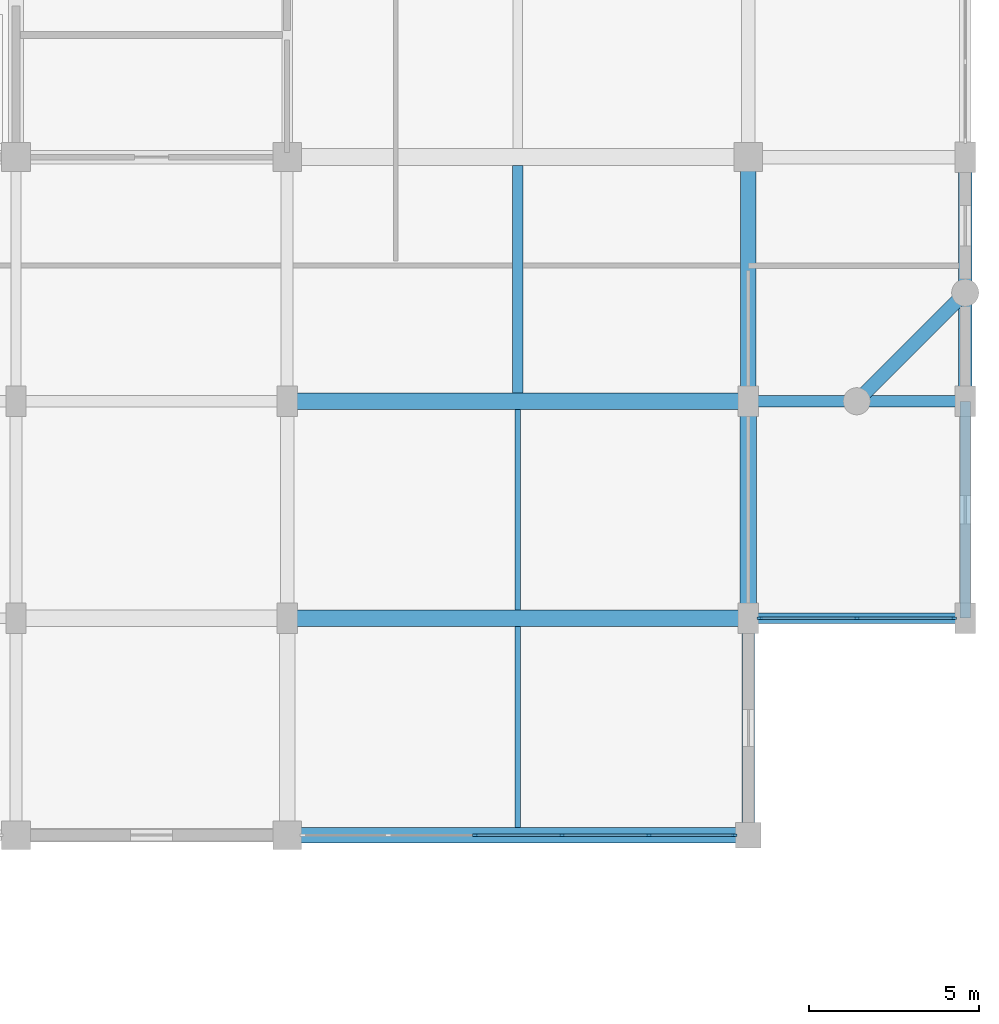
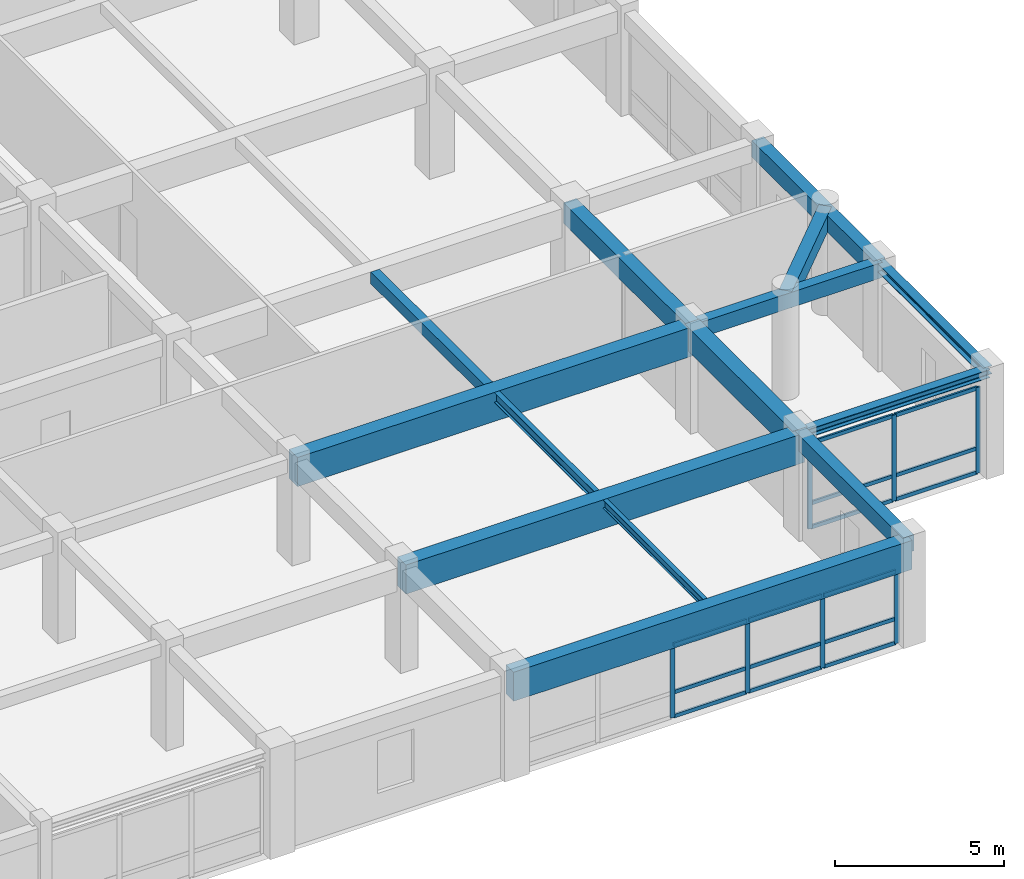
# One storey, part 11 of 27: 22 members, 14 beams, 2 elements without a shape of their own.
"""IFC4 building model written with IfcOpenShell, lengths in metres."""

from ifc_helpers import new_model, si_unit, direction, frame, origin, origin_2d, place, context, subcontext, project, spatial, rectangle, i_section, extrude, material, material_profile, profile_set, type_object, element, aggregate, save


model = new_model("IFC4")

# Units and contexts
model_context = context("Model", 3, precision=1e-05, world=origin(), true_north=direction((0.0, 1.0)))
body_context = subcontext(model_context, "Body", "Model", "MODEL_VIEW")
ifc_project = project(units=[si_unit("LENGTHUNIT", "METRE"), si_unit("AREAUNIT", "SQUARE_METRE"), si_unit("VOLUMEUNIT", "CUBIC_METRE"), si_unit("PLANEANGLEUNIT", "RADIAN"), si_unit("MASSUNIT", "GRAM", prefix="KILO")], contexts=[model_context])

# Site, building, storey
site_placement = place(None, origin())
site = spatial("IfcSite", under=ifc_project, at=site_placement, CompositionType="ELEMENT")
building_placement = place(site_placement, origin())
building = spatial("IfcBuilding", under=site, at=building_placement, Name="Vellmiral Cinema and Media Centre", CompositionType="ELEMENT")
storey_placement = place(building_placement, frame((0.0, 0.0, 19.800048828125)))
storey = spatial("IfcBuildingStorey", under=building, at=storey_placement, Name="L04", CompositionType="ELEMENT", Elevation=19.800048828125)

# Beams
ifc_material_1 = material(Name="Concrete C40/50", Category="concrete")
ifc_material_profile_1 = material_profile(ifc_material_1, rectangle(XDim=0.35009765625, YDim=0.550048828125, at=origin_2d()), Name="RC 350x550")
ifc_profile_set_1 = profile_set([ifc_material_profile_1], Name="Concrete C40/50")
beam_type_1 = type_object("IfcBeamType", Name="BM-RC-350x550", PredefinedType="BEAM", material=ifc_profile_set_1)
beam_1_placement = place(storey_placement, frame((161.60009765625, 72.0, 3.419921875), z_axis=(1.0, 0.0, 0.0), x_axis=(0.0, 1.0, 0.0)))
element("IfcBeam", 1, at=beam_1_placement, inside=storey, type_object=beam_type_1, Name="Grid Beam L04-X023", PredefinedType="BEAM", context=body_context, shape_type="SweptSolid", body=[
    extrude(rectangle(XDim=0.35009765625, YDim=0.550048828125, at=origin_2d()), origin(), (0.0, 0.0, 1.0), 6.39990234375),
])
ifc_material_2 = material(Name="Concrete C40/50", Category="concrete")
ifc_material_profile_2 = material_profile(ifc_material_2, rectangle(XDim=0.449951171875, YDim=0.75, at=origin_2d()), Name="RC 450x750")
ifc_profile_set_2 = profile_set([ifc_material_profile_2], Name="Concrete C40/50")
beam_type_2 = type_object("IfcBeamType", Name="BM-RC-450x750", PredefinedType="BEAM", material=ifc_profile_set_2)
beam_2_placement = place(storey_placement, frame((161.60009765625, 72.0, 3.320068359375), z_axis=(0.0, 1.0, 0.0), x_axis=(-1.0, 0.0, 0.0)))
element("IfcBeam", 2, at=beam_2_placement, inside=storey, type_object=beam_type_2, Name="Grid Beam L04-Y105", PredefinedType="BEAM", context=body_context, shape_type="SweptSolid", body=[
    extrude(rectangle(XDim=0.449951171875, YDim=0.75, at=origin_2d()), origin(), (0.0, 0.0, 1.0), 7.199951171875),
])
ifc_material_3 = material(Name="Concrete C40/50", Category="concrete")
ifc_material_profile_3 = material_profile(ifc_material_3, rectangle(XDim=0.5, YDim=0.85009765625, at=origin_2d()), Name="RC 500x850")
ifc_profile_set_3 = profile_set([ifc_material_profile_3], Name="Concrete C40/50")
beam_type_3 = type_object("IfcBeamType", Name="BM-RC-500x850", PredefinedType="BEAM", material=ifc_profile_set_3)
beam_3_placement = place(storey_placement, frame((161.60009765625, 65.60009765625, 3.27001953125), z_axis=(0.0, 1.0, 0.0), x_axis=(-1.0, 0.0, 0.0)))
element("IfcBeam", 3, at=beam_3_placement, inside=storey, type_object=beam_type_3, Name="Grid Beam L04-Y104", PredefinedType="BEAM", context=body_context, shape_type="SweptSolid", body=[
    extrude(rectangle(XDim=0.5, YDim=0.85009765625, at=origin_2d()), origin(), (0.0, 0.0, 1.0), 6.39990234375),
])
ifc_material_4 = material(Name="Concrete C40/50", Category="concrete")
ifc_material_profile_4 = material_profile(ifc_material_4, rectangle(XDim=0.5, YDim=1.050048828125, at=origin_2d()), Name="RC 500x1050")
ifc_profile_set_4 = profile_set([ifc_material_profile_4], Name="Concrete C40/50")
beam_type_4 = type_object("IfcBeamType", Name="BM-RCG-500x1050", PredefinedType="BEAM", material=ifc_profile_set_4)
for number, where, z_axis, x_axis, name in (
    (4, (148.0, 65.60009765625, 3.169921875), (1.0, 0.0, 0.0), (0.0, 1.0, 0.0), "Grid Beam L04-X014"),
    (5, (148.0, 72.0, 3.169921875), (1.0, 0.0, 0.0), (0.0, 1.0, 0.0), "Grid Beam L04-X022"),
):
    element("IfcBeam", number, at=place(storey_placement, frame(where, z_axis=z_axis, x_axis=x_axis)), inside=storey, type_object=beam_type_4, Name=name, PredefinedType="BEAM", context=body_context, shape_type="SweptSolid", body=[
        extrude(rectangle(XDim=0.5, YDim=1.050048828125, at=origin_2d()), origin(), (0.0, 0.0, 1.0), 13.60009765625),
    ])

# Curtain wall, members
ifc_material_5 = material(Name="Thermally Broken Aluminium and Triple Glazing", Category="aluminium")
curtain_wall_type = type_object("IfcCurtainWallType", Name="CW-TOWER-LOW-S", PredefinedType="USERDEFINED", material=ifc_material_5)
curtain_wall_1_placement = place(storey_placement, origin())
curtain_wall_1 = element("IfcCurtainWall", 6, at=curtain_wall_1_placement, inside=storey, type_object=curtain_wall_type, Name="Curtain Wall L04-B009", ObjectType="UNITISED CURTAIN WALL", PredefinedType="USERDEFINED")
ifc_material_6 = material(Name="Thermally Broken Anodised Aluminium", Category="aluminium")
ifc_material_profile_5 = material_profile(ifc_material_6, rectangle(XDim=0.06494140625, YDim=0.159912109375, at=origin_2d()), Name="MULL 65x160")
ifc_profile_set_5 = profile_set([ifc_material_profile_5], Name="Thermally Broken Anodised Aluminium")
member_type_1 = type_object("IfcMemberType", Name="CWM-65x160", PredefinedType="MULLION", material=ifc_profile_set_5)
member_1_placement = place(storey_placement, frame((153.544921875, 59.199951171875, 0.0), z_axis=(0.0, 0.0, 1.0), x_axis=(0.0, 1.0, 0.0)))
member_1 = element("IfcMember", 7, at=member_1_placement, type_object=member_type_1, Name="CW-06 mullion 3", PredefinedType="MULLION", context=body_context, shape_type="SweptSolid", body=[
    extrude(rectangle(XDim=0.06494140625, YDim=0.159912109375, at=origin_2d()), origin(), (0.0, 0.0, 1.0), 2.635009765625),
])
member_2_placement = place(storey_placement, frame((156.10498046875, 59.199951171875, 0.0), z_axis=(0.0, 0.0, 1.0), x_axis=(0.0, 1.0, 0.0)))
member_2 = element("IfcMember", 8, at=member_2_placement, type_object=member_type_1, Name="CW-06 mullion 4", PredefinedType="MULLION", context=body_context, shape_type="SweptSolid", body=[
    extrude(rectangle(XDim=0.06494140625, YDim=0.159912109375, at=origin_2d()), origin(), (0.0, 0.0, 1.0), 2.635009765625),
])
member_3_placement = place(storey_placement, frame((158.6650390625, 59.199951171875, 0.0), z_axis=(0.0, 0.0, 1.0), x_axis=(0.0, 1.0, 0.0)))
member_3 = element("IfcMember", 9, at=member_3_placement, type_object=member_type_1, Name="CW-06 mullion 5", PredefinedType="MULLION", context=body_context, shape_type="SweptSolid", body=[
    extrude(rectangle(XDim=0.06494140625, YDim=0.159912109375, at=origin_2d()), origin(), (0.0, 0.0, 1.0), 2.635009765625),
])
member_4_placement = place(storey_placement, frame((161.1923828125, 59.199951171875, 0.0), z_axis=(0.0, 0.0, 1.0), x_axis=(0.0, 1.0, 0.0)))
member_4 = element("IfcMember", 10, at=member_4_placement, type_object=member_type_1, Name="CW-06 mullion 6", PredefinedType="MULLION", context=body_context, shape_type="SweptSolid", body=[
    extrude(rectangle(XDim=0.06494140625, YDim=0.159912109375, at=origin_2d()), origin(), (0.0, 0.0, 1.0), 2.635009765625),
])

curtain_wall_2_placement = place(storey_placement, origin())
curtain_wall_2 = element("IfcCurtainWall", 11, at=curtain_wall_2_placement, inside=storey, type_object=curtain_wall_type, Name="Curtain Wall L04-B011", ObjectType="UNITISED CURTAIN WALL", PredefinedType="USERDEFINED")
member_5_placement = place(storey_placement, frame((161.9326171875, 65.60009765625, 0.0), z_axis=(0.0, 0.0, 1.0), x_axis=(0.0, 1.0, 0.0)))
member_5 = element("IfcMember", 12, at=member_5_placement, type_object=member_type_1, Name="CW-06 mullion 1", PredefinedType="MULLION", context=body_context, shape_type="SweptSolid", body=[
    extrude(rectangle(XDim=0.06494140625, YDim=0.159912109375, at=origin_2d()), origin(), (0.0, 0.0, 1.0), 3.099853515625),
])
member_6_placement = place(storey_placement, frame((164.800048828125, 65.60009765625, 0.0), z_axis=(0.0, 0.0, 1.0), x_axis=(0.0, 1.0, 0.0)))
member_6 = element("IfcMember", 13, at=member_6_placement, type_object=member_type_1, Name="CW-06 mullion 2", PredefinedType="MULLION", context=body_context, shape_type="SweptSolid", body=[
    extrude(rectangle(XDim=0.06494140625, YDim=0.159912109375, at=origin_2d()), origin(), (0.0, 0.0, 1.0), 3.099853515625),
])
member_7_placement = place(storey_placement, frame((167.66748046875, 65.60009765625, 0.0), z_axis=(0.0, 0.0, 1.0), x_axis=(0.0, 1.0, 0.0)))
member_7 = element("IfcMember", 14, at=member_7_placement, type_object=member_type_1, Name="CW-06 mullion 3", PredefinedType="MULLION", context=body_context, shape_type="SweptSolid", body=[
    extrude(rectangle(XDim=0.06494140625, YDim=0.159912109375, at=origin_2d()), origin(), (0.0, 0.0, 1.0), 3.099853515625),
])

# Member
ifc_material_7 = material(Name="Thermally Broken Anodised Aluminium", Category="aluminium")
ifc_material_profile_6 = material_profile(ifc_material_7, rectangle(XDim=0.06494140625, YDim=0.135009765625, at=origin_2d()), Name="MULL 65x135")
ifc_profile_set_6 = profile_set([ifc_material_profile_6], Name="Thermally Broken Anodised Aluminium")
member_type_2 = type_object("IfcMemberType", Name="CWT-65x135", PredefinedType="USERDEFINED", material=ifc_profile_set_6)
member_8_placement = place(storey_placement, frame((153.577392578125, 59.199951171875, 0.032470703125), z_axis=(1.0, 0.0, 0.0), x_axis=(0.0, 1.0, 0.0)))
member_8 = element("IfcMember", 15, at=member_8_placement, type_object=member_type_2, Name="CW-06 transom 3.1", ObjectType="TRANSOM", PredefinedType="USERDEFINED", context=body_context, shape_type="SweptSolid", body=[
    extrude(rectangle(XDim=0.06494140625, YDim=0.135009765625, at=origin_2d()), origin(), (0.0, 0.0, 1.0), 2.4951171875),
])

member_9_placement = place(storey_placement, frame((153.577392578125, 59.199951171875, 0.89990234375), z_axis=(1.0, 0.0, 0.0), x_axis=(0.0, 1.0, 0.0)))
member_9 = element("IfcMember", 16, at=member_9_placement, type_object=member_type_2, Name="CW-06 transom 3.2", ObjectType="TRANSOM", PredefinedType="USERDEFINED", context=body_context, shape_type="SweptSolid", body=[
    extrude(rectangle(XDim=0.06494140625, YDim=0.135009765625, at=origin_2d()), origin(), (0.0, 0.0, 1.0), 2.4951171875),
])

member_10_placement = place(storey_placement, frame((153.577392578125, 59.199951171875, 2.6025390625), z_axis=(1.0, 0.0, 0.0), x_axis=(0.0, 1.0, 0.0)))
member_10 = element("IfcMember", 17, at=member_10_placement, type_object=member_type_2, Name="CW-06 transom 3.3", ObjectType="TRANSOM", PredefinedType="USERDEFINED", context=body_context, shape_type="SweptSolid", body=[
    extrude(rectangle(XDim=0.06494140625, YDim=0.135009765625, at=origin_2d()), origin(), (0.0, 0.0, 1.0), 2.4951171875),
])

member_11_placement = place(storey_placement, frame((156.137451171875, 59.199951171875, 0.032470703125), z_axis=(1.0, 0.0, 0.0), x_axis=(0.0, 1.0, 0.0)))
member_11 = element("IfcMember", 18, at=member_11_placement, type_object=member_type_2, Name="CW-06 transom 4.1", ObjectType="TRANSOM", PredefinedType="USERDEFINED", context=body_context, shape_type="SweptSolid", body=[
    extrude(rectangle(XDim=0.06494140625, YDim=0.135009765625, at=origin_2d()), origin(), (0.0, 0.0, 1.0), 2.4951171875),
])

member_12_placement = place(storey_placement, frame((156.137451171875, 59.199951171875, 0.89990234375), z_axis=(1.0, 0.0, 0.0), x_axis=(0.0, 1.0, 0.0)))
member_12 = element("IfcMember", 19, at=member_12_placement, type_object=member_type_2, Name="CW-06 transom 4.2", ObjectType="TRANSOM", PredefinedType="USERDEFINED", context=body_context, shape_type="SweptSolid", body=[
    extrude(rectangle(XDim=0.06494140625, YDim=0.135009765625, at=origin_2d()), origin(), (0.0, 0.0, 1.0), 2.4951171875),
])

member_13_placement = place(storey_placement, frame((156.137451171875, 59.199951171875, 2.6025390625), z_axis=(1.0, 0.0, 0.0), x_axis=(0.0, 1.0, 0.0)))
member_13 = element("IfcMember", 20, at=member_13_placement, type_object=member_type_2, Name="CW-06 transom 4.3", ObjectType="TRANSOM", PredefinedType="USERDEFINED", context=body_context, shape_type="SweptSolid", body=[
    extrude(rectangle(XDim=0.06494140625, YDim=0.135009765625, at=origin_2d()), origin(), (0.0, 0.0, 1.0), 2.4951171875),
])

member_14_placement = place(storey_placement, frame((158.697509765625, 59.199951171875, 0.032470703125), z_axis=(1.0, 0.0, 0.0), x_axis=(0.0, 1.0, 0.0)))
member_14 = element("IfcMember", 21, at=member_14_placement, type_object=member_type_2, Name="CW-06 transom 5.1", ObjectType="TRANSOM", PredefinedType="USERDEFINED", context=body_context, shape_type="SweptSolid", body=[
    extrude(rectangle(XDim=0.06494140625, YDim=0.135009765625, at=origin_2d()), origin(), (0.0, 0.0, 1.0), 2.46240234375),
])

member_15_placement = place(storey_placement, frame((158.697509765625, 59.199951171875, 0.89990234375), z_axis=(1.0, 0.0, 0.0), x_axis=(0.0, 1.0, 0.0)))
member_15 = element("IfcMember", 22, at=member_15_placement, type_object=member_type_2, Name="CW-06 transom 5.2", ObjectType="TRANSOM", PredefinedType="USERDEFINED", context=body_context, shape_type="SweptSolid", body=[
    extrude(rectangle(XDim=0.06494140625, YDim=0.135009765625, at=origin_2d()), origin(), (0.0, 0.0, 1.0), 2.46240234375),
])

member_16_placement = place(storey_placement, frame((158.697509765625, 59.199951171875, 2.6025390625), z_axis=(1.0, 0.0, 0.0), x_axis=(0.0, 1.0, 0.0)))
member_16 = element("IfcMember", 23, at=member_16_placement, type_object=member_type_2, Name="CW-06 transom 5.3", ObjectType="TRANSOM", PredefinedType="USERDEFINED", context=body_context, shape_type="SweptSolid", body=[
    extrude(rectangle(XDim=0.06494140625, YDim=0.135009765625, at=origin_2d()), origin(), (0.0, 0.0, 1.0), 2.46240234375),
])

aggregate(curtain_wall_1, [member_1, member_2, member_3, member_4, member_8, member_9, member_10, member_11, member_12, member_13, member_14, member_15, member_16])

member_17_placement = place(storey_placement, frame((161.965087890625, 65.60009765625, 0.032470703125), z_axis=(1.0, 0.0, 0.0), x_axis=(0.0, 1.0, 0.0)))
member_17 = element("IfcMember", 24, at=member_17_placement, type_object=member_type_2, Name="CW-06 transom 1.1", ObjectType="TRANSOM", PredefinedType="USERDEFINED", context=body_context, shape_type="SweptSolid", body=[
    extrude(rectangle(XDim=0.06494140625, YDim=0.135009765625, at=origin_2d()), origin(), (0.0, 0.0, 1.0), 2.802490234375),
])

member_18_placement = place(storey_placement, frame((161.965087890625, 65.60009765625, 0.89990234375), z_axis=(1.0, 0.0, 0.0), x_axis=(0.0, 1.0, 0.0)))
member_18 = element("IfcMember", 25, at=member_18_placement, type_object=member_type_2, Name="CW-06 transom 1.2", ObjectType="TRANSOM", PredefinedType="USERDEFINED", context=body_context, shape_type="SweptSolid", body=[
    extrude(rectangle(XDim=0.06494140625, YDim=0.135009765625, at=origin_2d()), origin(), (0.0, 0.0, 1.0), 2.802490234375),
])

member_19_placement = place(storey_placement, frame((161.965087890625, 65.60009765625, 3.0673828125), z_axis=(1.0, 0.0, 0.0), x_axis=(0.0, 1.0, 0.0)))
member_19 = element("IfcMember", 26, at=member_19_placement, type_object=member_type_2, Name="CW-06 transom 1.3", ObjectType="TRANSOM", PredefinedType="USERDEFINED", context=body_context, shape_type="SweptSolid", body=[
    extrude(rectangle(XDim=0.06494140625, YDim=0.135009765625, at=origin_2d()), origin(), (0.0, 0.0, 1.0), 2.802490234375),
])

member_20_placement = place(storey_placement, frame((164.83251953125, 65.60009765625, 0.032470703125), z_axis=(1.0, 0.0, 0.0), x_axis=(0.0, 1.0, 0.0)))
member_20 = element("IfcMember", 27, at=member_20_placement, type_object=member_type_2, Name="CW-06 transom 2.1", ObjectType="TRANSOM", PredefinedType="USERDEFINED", context=body_context, shape_type="SweptSolid", body=[
    extrude(rectangle(XDim=0.06494140625, YDim=0.135009765625, at=origin_2d()), origin(), (0.0, 0.0, 1.0), 2.802490234375),
])

member_21_placement = place(storey_placement, frame((164.83251953125, 65.60009765625, 0.89990234375), z_axis=(1.0, 0.0, 0.0), x_axis=(0.0, 1.0, 0.0)))
member_21 = element("IfcMember", 28, at=member_21_placement, type_object=member_type_2, Name="CW-06 transom 2.2", ObjectType="TRANSOM", PredefinedType="USERDEFINED", context=body_context, shape_type="SweptSolid", body=[
    extrude(rectangle(XDim=0.06494140625, YDim=0.135009765625, at=origin_2d()), origin(), (0.0, 0.0, 1.0), 2.802490234375),
])

member_22_placement = place(storey_placement, frame((164.83251953125, 65.60009765625, 3.0673828125), z_axis=(1.0, 0.0, 0.0), x_axis=(0.0, 1.0, 0.0)))
member_22 = element("IfcMember", 29, at=member_22_placement, type_object=member_type_2, Name="CW-06 transom 2.3", ObjectType="TRANSOM", PredefinedType="USERDEFINED", context=body_context, shape_type="SweptSolid", body=[
    extrude(rectangle(XDim=0.06494140625, YDim=0.135009765625, at=origin_2d()), origin(), (0.0, 0.0, 1.0), 2.802490234375),
])

aggregate(curtain_wall_2, [member_5, member_6, member_7, member_17, member_18, member_19, member_20, member_21, member_22])

# Beams
ifc_material_8 = material(Name="Concrete C40/50", Category="concrete")
ifc_material_profile_7 = material_profile(ifc_material_8, rectangle(XDim=0.300048828125, YDim=0.419921875, at=origin_2d()), Name="RC 300x420")
ifc_profile_set_7 = profile_set([ifc_material_profile_7], Name="Concrete C40/50")
beam_type_5 = type_object("IfcBeamType", Name="JST-RC-300x420", PredefinedType="JOIST", material=ifc_profile_set_7)
beam_4_placement = place(storey_placement, frame((154.800048828125, 72.25, 3.48486328125), z_axis=(0.0, 1.0, 0.0), x_axis=(-1.0, 0.0, 0.0)))
element("IfcBeam", 30, at=beam_4_placement, inside=storey, type_object=beam_type_5, Name="Secondary Floor Joist L04-008", PredefinedType="JOIST", context=body_context, shape_type="SweptSolid", body=[
    extrude(rectangle(XDim=0.300048828125, YDim=0.419921875, at=origin_2d()), origin(), (0.0, 0.0, 1.0), 6.699951171875),
])
ifc_material_9 = material(Name="Steel S355", Category="steel")
ifc_material_profile_8 = material_profile(ifc_material_9, i_section(OverallWidth=0.300048828125, OverallDepth=0.300048828125, WebThickness=0.010986328125, FlangeThickness=0.01904296875, FilletRadius=0.027099609375, at=origin_2d()), Name="HEB 300")
ifc_profile_set_8 = profile_set([ifc_material_profile_8], Name="Steel S355")
beam_type_6 = type_object("IfcBeamType", Name="SBM-HEB300", PredefinedType="SPANDREL", material=ifc_profile_set_8)
for number, where, z_axis, x_axis, name in (
    (31, (161.60009765625, 65.60009765625, 3.544921875), (1.0, 0.0, 0.0), (0.0, 1.0, 0.0), "Grid Beam L04-X015"),
    (32, (168.0, 65.60009765625, 3.544921875), (0.0, 1.0, 0.0), (-1.0, 0.0, 0.0), "Grid Beam L04-Y110"),
):
    element("IfcBeam", number, at=place(storey_placement, frame(where, z_axis=z_axis, x_axis=x_axis)), inside=storey, type_object=beam_type_6, Name=name, PredefinedType="SPANDREL", context=body_context, shape_type="SweptSolid", body=[
        extrude(i_section(OverallWidth=0.300048828125, OverallDepth=0.300048828125, WebThickness=0.010986328125, FlangeThickness=0.01904296875, FilletRadius=0.027099609375, at=origin_2d()), origin(), (0.0, 0.0, 1.0), 6.39990234375),
    ])
ifc_material_10 = material(Name="Steel S355", Category="steel")
ifc_material_profile_9 = material_profile(ifc_material_10, i_section(OverallWidth=0.14990234375, OverallDepth=0.300048828125, WebThickness=0.007080078125, FlangeThickness=0.0107421875, FilletRadius=0.014892578125, at=origin_2d()), Name="IPE 300")
ifc_profile_set_9 = profile_set([ifc_material_profile_9], Name="Steel S355")
beam_type_7 = type_object("IfcBeamType", Name="SBM-IPE300", PredefinedType="JOIST", material=ifc_profile_set_9)
beam_5_placement = place(storey_placement, frame((154.800048828125, 59.425048828125, 3.544921875), z_axis=(0.0, 1.0, 0.0), x_axis=(-1.0, 0.0, 0.0)))
element("IfcBeam", 33, at=beam_5_placement, inside=storey, type_object=beam_type_7, Name="Secondary Floor Joist L04-006", PredefinedType="JOIST", context=body_context, shape_type="SweptSolid", body=[
    extrude(i_section(OverallWidth=0.14990234375, OverallDepth=0.300048828125, WebThickness=0.007080078125, FlangeThickness=0.0107421875, FilletRadius=0.014892578125, at=origin_2d()), origin(), (0.0, 0.0, 1.0), 5.925048828125),
])
ifc_material_11 = material(Name="Steel S355", Category="steel")
ifc_material_profile_10 = material_profile(ifc_material_11, i_section(OverallWidth=0.169921875, OverallDepth=0.360107421875, WebThickness=0.008056640625, FlangeThickness=0.0126953125, FilletRadius=0.01806640625, at=origin_2d()), Name="IPE 360")
ifc_profile_set_10 = profile_set([ifc_material_profile_10], Name="Steel S355")
beam_type_8 = type_object("IfcBeamType", Name="SBM-IPE360", PredefinedType="JOIST", material=ifc_profile_set_10)
beam_6_placement = place(storey_placement, frame((154.800048828125, 65.85009765625, 3.514892578125), z_axis=(0.0, 1.0, 0.0), x_axis=(-1.0, 0.0, 0.0)))
element("IfcBeam", 34, at=beam_6_placement, inside=storey, type_object=beam_type_8, Name="Secondary Floor Joist L04-007", PredefinedType="JOIST", context=body_context, shape_type="SweptSolid", body=[
    extrude(i_section(OverallWidth=0.169921875, OverallDepth=0.360107421875, WebThickness=0.008056640625, FlangeThickness=0.0126953125, FilletRadius=0.01806640625, at=origin_2d()), origin(), (0.0, 0.0, 1.0), 5.89990234375),
])
ifc_material_12 = material(Name="Concrete C40/50", Category="concrete")
ifc_material_profile_11 = material_profile(ifc_material_12, rectangle(XDim=0.39990234375, YDim=0.60009765625, at=origin_2d()), Name="RC 400x600")
ifc_profile_set_11 = profile_set([ifc_material_profile_11], Name="Concrete C40/50")
beam_type_9 = type_object("IfcBeamType", Name="SPD-RC-400x600", PredefinedType="SPANDREL", material=ifc_profile_set_11)
beam_7_placement = place(storey_placement, frame((168.0, 72.0, 3.39501953125), z_axis=(0.0, 1.0, 0.0), x_axis=(-1.0, 0.0, 0.0)))
element("IfcBeam", 35, at=beam_7_placement, inside=storey, type_object=beam_type_9, Name="Grid Beam L04-Y111", PredefinedType="SPANDREL", context=body_context, shape_type="SweptSolid", body=[
    extrude(rectangle(XDim=0.39990234375, YDim=0.60009765625, at=origin_2d()), origin(), (0.0, 0.0, 1.0), 7.199951171875),
])
beam_8_placement = place(storey_placement, frame((164.800048828125, 72.0, 3.39501953125), z_axis=(0.707106781187, 0.707106781187, 0.0), x_axis=(-0.707106781187, 0.707106781187, 0.0)))
element("IfcBeam", 36, at=beam_8_placement, inside=storey, type_object=beam_type_9, Name="Xamfra Chamfer Spandrel Beam L04-117", PredefinedType="SPANDREL", context=body_context, shape_type="SweptSolid", body=[
    extrude(rectangle(XDim=0.39990234375, YDim=0.60009765625, at=origin_2d()), origin(), (0.0, 0.0, 1.0), 4.525390625),
])
ifc_material_13 = material(Name="Concrete C40/50", Category="concrete")
ifc_material_profile_12 = material_profile(ifc_material_13, rectangle(XDim=0.449951171875, YDim=1.050048828125, at=origin_2d()), Name="RC 450x1050")
ifc_profile_set_12 = profile_set([ifc_material_profile_12], Name="Concrete C40/50")
beam_type_10 = type_object("IfcBeamType", Name="SPD-RCG-450x1050", PredefinedType="SPANDREL", material=ifc_profile_set_12)
beam_9_placement = place(storey_placement, frame((148.0, 59.199951171875, 3.169921875), z_axis=(1.0, 0.0, 0.0), x_axis=(0.0, 1.0, 0.0)))
element("IfcBeam", 37, at=beam_9_placement, inside=storey, type_object=beam_type_10, Name="Grid Beam L04-X007", PredefinedType="SPANDREL", context=body_context, shape_type="SweptSolid", body=[
    extrude(rectangle(XDim=0.449951171875, YDim=1.050048828125, at=origin_2d()), origin(), (0.0, 0.0, 1.0), 13.60009765625),
])
ifc_material_14 = material(Name="Vosges Red Sandstone Masonry", Category="masonry")
ifc_material_profile_13 = material_profile(ifc_material_14, rectangle(XDim=0.3798828125, YDim=0.580078125, at=origin_2d()), Name="SAND 380x580")
ifc_profile_set_13 = profile_set([ifc_material_profile_13], Name="Vosges Red Sandstone Masonry")
beam_type_11 = type_object("IfcBeamType", Name="SPD-SAND-380x580", PredefinedType="SPANDREL", material=ifc_profile_set_13)
beam_10_placement = place(storey_placement, frame((161.60009765625, 59.199951171875, 3.405029296875), z_axis=(0.0, 1.0, 0.0), x_axis=(-1.0, 0.0, 0.0)))
element("IfcBeam", 38, at=beam_10_placement, inside=storey, type_object=beam_type_11, Name="Grid Beam L04-Y103", PredefinedType="SPANDREL", context=body_context, shape_type="SweptSolid", body=[
    extrude(rectangle(XDim=0.3798828125, YDim=0.580078125, at=origin_2d()), origin(), (0.0, 0.0, 1.0), 6.400146484375),
])

save(model, "model.ifc")
